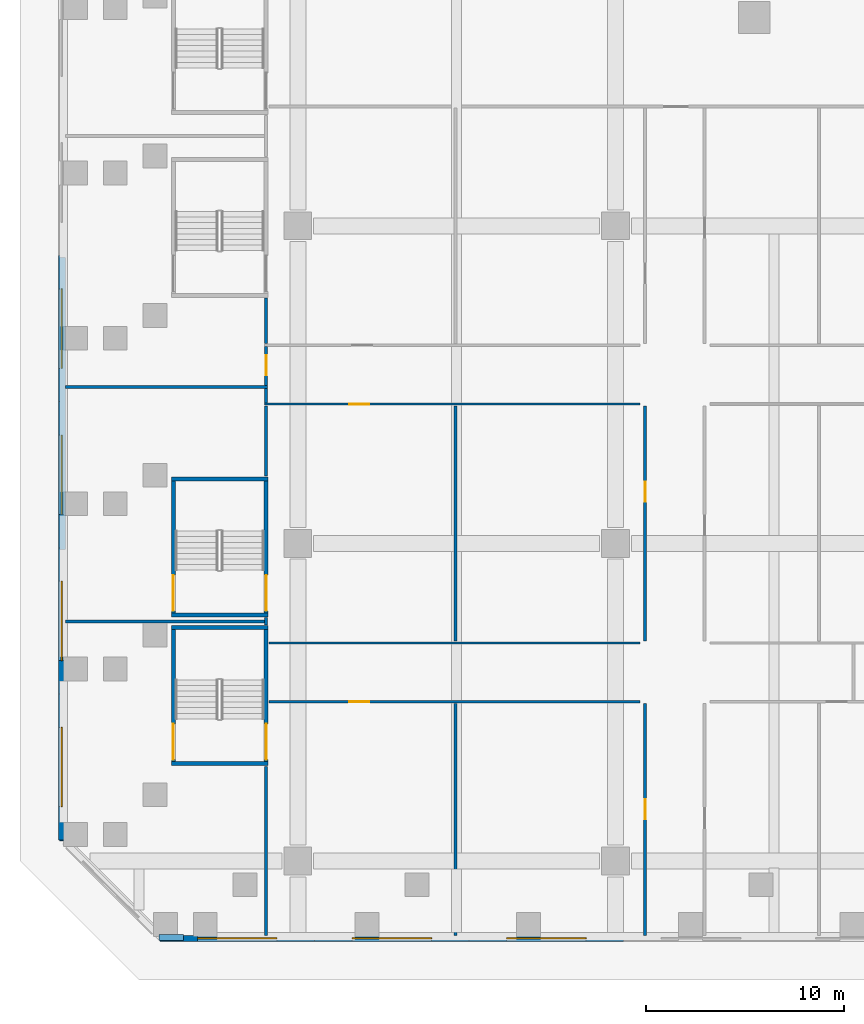
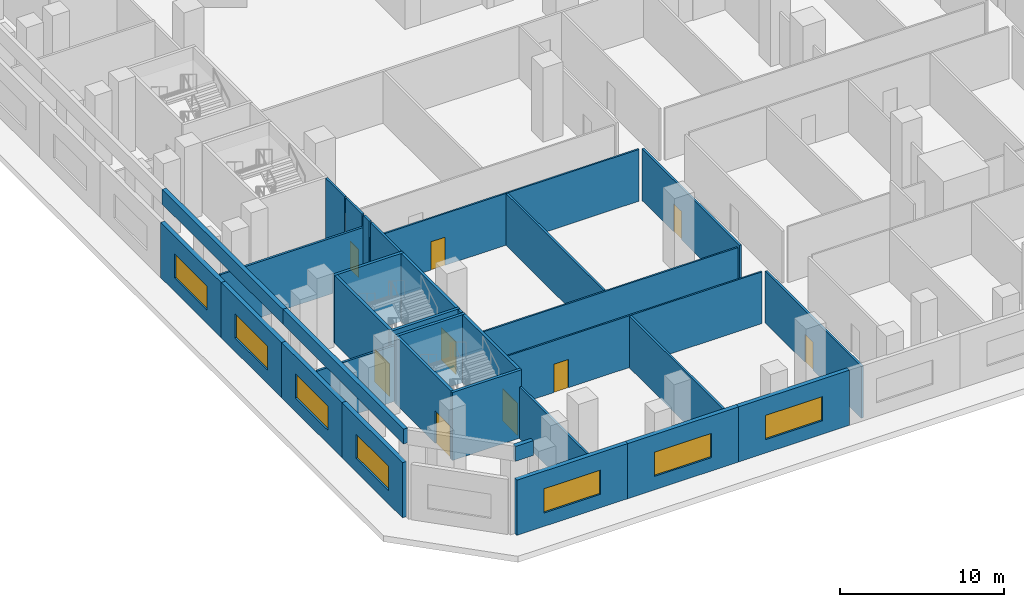
# One storey, part 4 of 22: 33 walls, 9 doors, 7 windows, 16 openings.
"""IFC4 building model written with IfcOpenShell, lengths in metres."""

from ifc_helpers import new_model, si_unit, direction, frame, frame_2d, origin, place, context, subcontext, project, spatial, rectangle, extrude, material, layer, layer_set, type_object, element, fill, save


model = new_model("IFC4")

# Units and contexts
model_context = context("Model", 3, precision=1e-05, world=origin(), true_north=direction((0.0, 1.0)))
body_context = subcontext(model_context, "Body", "Model", "MODEL_VIEW")
ifc_project = project(units=[si_unit("LENGTHUNIT", "METRE"), si_unit("AREAUNIT", "SQUARE_METRE"), si_unit("VOLUMEUNIT", "CUBIC_METRE"), si_unit("PLANEANGLEUNIT", "RADIAN"), si_unit("MASSUNIT", "GRAM", prefix="KILO")], contexts=[model_context])

# Site, building, storey
site_placement = place(None, origin())
site = spatial("IfcSite", under=ifc_project, at=site_placement, CompositionType="ELEMENT")
building_placement = place(site_placement, origin())
building = spatial("IfcBuilding", under=site, at=building_placement, Name="Calabash Gate Tower", CompositionType="ELEMENT")
storey_placement = place(building_placement, frame((0.0, 0.0, 29.0)))
storey = spatial("IfcBuildingStorey", under=building, at=storey_placement, Name="L03", CompositionType="ELEMENT", Elevation=29.0)

# Walls
ifc_material_1 = material(Name="Gypsum board on steel studs, mineral wool", Category="steel")
ifc_layer_1 = layer(ifc_material_1, 0.14990234375)
ifc_layer_set_1 = layer_set([ifc_layer_1], Name="Partition 150 gypsum board")
wall_type_1 = type_object("IfcWallType", Name="Partition 150 gypsum board", PredefinedType="PARTITIONING", material=ifc_layer_set_1)
wall_1_placement = place(storey_placement, frame((-33.60009765625, -43.77001953125, 0.0), z_axis=(0.0, 0.0, 1.0), x_axis=(0.0, 1.0, 0.0)))
element("IfcWall", 1, at=wall_1_placement, inside=storey, type_object=wall_type_1, Name="Partition", PredefinedType="PARTITIONING", context=body_context, shape_type="SweptSolid", body=[
    extrude(rectangle(XDim=8.530029296875, YDim=0.14990234375, at=frame_2d((4.26513671875, 0.0))), origin(), (0.0, 0.0, 1.0), 3.85009765625),
])
wall_2_placement = place(storey_placement, frame((-24.050048828125, -43.77001953125, 0.0), z_axis=(0.0, 0.0, 1.0), x_axis=(0.0, 1.0, 0.0)))
element("IfcWall", 2, at=wall_2_placement, inside=storey, type_object=wall_type_1, Name="Partition", PredefinedType="PARTITIONING", context=body_context, shape_type="SweptSolid", body=[
    extrude(rectangle(XDim=11.695068359375, YDim=0.14990234375, at=frame_2d((5.84765625, 0.0))), origin(), (0.0, 0.0, 1.0), 3.85009765625),
])

# Wall, opening, door
wall_3_placement = place(storey_placement, frame((-14.5, -43.77001953125, 0.0), z_axis=(0.0, 0.0, 1.0), x_axis=(0.0, 1.0, 0.0)))
wall_3 = element("IfcWall", 3, at=wall_3_placement, inside=storey, type_object=wall_type_1, Name="Partition", PredefinedType="PARTITIONING", context=body_context, shape_type="SweptSolid", body=[
    extrude(rectangle(XDim=11.695068359375, YDim=0.14990234375, at=frame_2d((5.84765625, 0.0))), origin(), (0.0, 0.0, 1.0), 3.85009765625),
])
opening_1_placement = place(wall_3_placement, frame((5.8701171875, 0.0, 0.0)))
opening_1 = element("IfcOpeningElement", 4, at=opening_1_placement, cuts=wall_3, Name="Opening L03-063", PredefinedType="OPENING", context=body_context, shape_type="SweptSolid", body=[
    extrude(rectangle(XDim=1.0, YDim=2.10009765625, at=frame_2d((0.5, 1.050048828125))), frame((0.0, 0.0849609375, 0.0), z_axis=(0.0, -1.0, 0.0), x_axis=(1.0, 0.0, 0.0)), (0.0, 0.0, 1.0), 0.169921875),
])
ifc_material_2 = material(Name="Steel fire door set with fire-resisting glazing", Category="steel")
door_type_1 = type_object("IfcDoorType", Name="Fire door D11 1000x2100 FD60", OperationType="NOTDEFINED", PredefinedType="DOOR", material=ifc_material_2)
door_1_placement = place(opening_1_placement, origin())
door_1 = element("IfcDoor", 5, at=door_1_placement, inside=storey, type_object=door_type_1, Name="Meeting Room 318 door", OperationType="SINGLE_SWING_LEFT", OverallHeight=2.10009765625, OverallWidth=1.0, PredefinedType="DOOR", context=body_context, shape_type="SweptSolid", body=[
    extrude(rectangle(XDim=1.0, YDim=2.10009765625, at=frame_2d((0.5, 1.050048828125))), frame((0.0, 0.02490234375, 0.0), z_axis=(0.0, -1.0, 0.0), x_axis=(1.0, 0.0, 0.0)), (0.0, 0.0, 1.0), 0.050048828125),
])
fill(opening_1, door_1)

wall_4_placement = place(storey_placement, frame((-33.4599609375, -31.982421875, 0.0), z_axis=(0.0, 0.0, 1.0), x_axis=(1.0, 0.0, 0.0)))
wall_4 = element("IfcWall", 6, at=wall_4_placement, inside=storey, type_object=wall_type_1, Name="Partition", PredefinedType="PARTITIONING", context=body_context, shape_type="SweptSolid", body=[
    extrude(rectangle(XDim=18.68994140625, YDim=0.114990234375, at=frame_2d((9.344970703125, 0.0))), origin(), (0.0, 0.0, 1.0), 3.85009765625),
])
opening_2_placement = place(wall_4_placement, frame((4.06005859375, 0.0, 0.0)))
opening_2 = element("IfcOpeningElement", 7, at=opening_2_placement, cuts=wall_4, Name="Opening L03-062", PredefinedType="OPENING", context=body_context, shape_type="SweptSolid", body=[
    extrude(rectangle(XDim=1.0, YDim=2.10009765625, at=frame_2d((0.5, 1.050048828125))), frame((0.0, 0.0673828125, 0.0), z_axis=(0.0, -1.0, 0.0), x_axis=(1.0, 0.0, 0.0)), (0.0, 0.0, 1.0), 0.135009765625),
])
door_2_placement = place(opening_2_placement, origin())
door_2 = element("IfcDoor", 8, at=door_2_placement, inside=storey, type_object=door_type_1, Name="Meeting Room 317 door", OperationType="SINGLE_SWING_RIGHT", OverallHeight=2.10009765625, OverallWidth=1.0, PredefinedType="DOOR", context=body_context, shape_type="SweptSolid", body=[
    extrude(rectangle(XDim=1.0, YDim=2.10009765625, at=frame_2d((0.5, 1.050048828125))), frame((0.0, 0.02490234375, 0.0), z_axis=(0.0, -1.0, 0.0), x_axis=(1.0, 0.0, 0.0)), (0.0, 0.0, 1.0), 0.050048828125),
])
fill(opening_2, door_2)

# Walls
wall_5_placement = place(storey_placement, frame((-33.4599609375, -29.017578125, 0.0), z_axis=(0.0, 0.0, 1.0), x_axis=(1.0, 0.0, 0.0)))
element("IfcWall", 9, at=wall_5_placement, inside=storey, type_object=wall_type_1, Name="Partition", PredefinedType="PARTITIONING", context=body_context, shape_type="SweptSolid", body=[
    extrude(rectangle(XDim=18.68994140625, YDim=0.114990234375, at=frame_2d((9.344970703125, 0.0))), origin(), (0.0, 0.0, 1.0), 3.85009765625),
])
wall_6_placement = place(storey_placement, frame((-24.050048828125, -28.925048828125, 0.0), z_axis=(0.0, 0.0, 1.0), x_axis=(0.0, 1.0, 0.0)))
element("IfcWall", 10, at=wall_6_placement, inside=storey, type_object=wall_type_1, Name="Partition", PredefinedType="PARTITIONING", context=body_context, shape_type="SweptSolid", body=[
    extrude(rectangle(XDim=11.85009765625, YDim=0.14990234375, at=frame_2d((5.925048828125, 0.0))), origin(), (0.0, 0.0, 1.0), 3.85009765625),
])

# Wall, opening, door
wall_7_placement = place(storey_placement, frame((-14.5, -28.925048828125, 0.0), z_axis=(0.0, 0.0, 1.0), x_axis=(0.0, 1.0, 0.0)))
wall_7 = element("IfcWall", 11, at=wall_7_placement, inside=storey, type_object=wall_type_1, Name="Partition", PredefinedType="PARTITIONING", context=body_context, shape_type="SweptSolid", body=[
    extrude(rectangle(XDim=11.85009765625, YDim=0.14990234375, at=frame_2d((5.925048828125, 0.0))), origin(), (0.0, 0.0, 1.0), 3.85009765625),
])
opening_3_placement = place(wall_7_placement, frame((7.02490234375, 0.0, 0.0)))
opening_3 = element("IfcOpeningElement", 12, at=opening_3_placement, cuts=wall_7, Name="Opening L03-055", PredefinedType="OPENING", context=body_context, shape_type="SweptSolid", body=[
    extrude(rectangle(XDim=1.0, YDim=2.10009765625, at=frame_2d((0.5, 1.050048828125))), frame((0.0, 0.0849609375, 0.0), z_axis=(0.0, -1.0, 0.0), x_axis=(1.0, 0.0, 0.0)), (0.0, 0.0, 1.0), 0.169921875),
])
door_3_placement = place(opening_3_placement, origin())
door_3 = element("IfcDoor", 13, at=door_3_placement, inside=storey, type_object=door_type_1, Name="Meeting Room 310 door", OperationType="SINGLE_SWING_RIGHT", OverallHeight=2.10009765625, OverallWidth=1.0, PredefinedType="DOOR", context=body_context, shape_type="SweptSolid", body=[
    extrude(rectangle(XDim=1.0, YDim=2.10009765625, at=frame_2d((0.5, 1.050048828125))), frame((0.0, 0.02490234375, 0.0), z_axis=(0.0, -1.0, 0.0), x_axis=(1.0, 0.0, 0.0)), (0.0, 0.0, 1.0), 0.050048828125),
])
fill(opening_3, door_3)

# Walls
wall_8_placement = place(storey_placement, frame((-33.60009765625, -28.110107421875, 0.0), z_axis=(0.0, 0.0, 1.0), x_axis=(0.0, 1.0, 0.0)))
element("IfcWall", 14, at=wall_8_placement, inside=storey, type_object=wall_type_1, Name="Partition", PredefinedType="PARTITIONING", context=body_context, shape_type="SweptSolid", body=[
    extrude(rectangle(XDim=0.3701171875, YDim=0.14990234375, at=frame_2d((0.18505859375, 0.0))), origin(), (0.0, 0.0, 1.0), 5.050048828125),
])
wall_9_placement = place(storey_placement, frame((-43.719970703125, -27.925048828125, 0.0), z_axis=(0.0, 0.0, 1.0), x_axis=(1.0, 0.0, 0.0)))
element("IfcWall", 15, at=wall_9_placement, inside=storey, type_object=wall_type_1, Name="Partition", PredefinedType="PARTITIONING", context=body_context, shape_type="SweptSolid", body=[
    extrude(rectangle(XDim=10.044921875, YDim=0.14990234375, at=frame_2d((5.0224609375, 0.0))), origin(), (0.0, 0.0, 1.0), 4.14990234375),
])
wall_10_placement = place(storey_placement, frame((-33.60009765625, -20.610107421875, 0.0), z_axis=(0.0, 0.0, 1.0), x_axis=(0.0, 1.0, 0.0)))
element("IfcWall", 16, at=wall_10_placement, inside=storey, type_object=wall_type_1, Name="Partition", PredefinedType="PARTITIONING", context=body_context, shape_type="SweptSolid", body=[
    extrude(rectangle(XDim=3.53515625, YDim=0.14990234375, at=frame_2d((1.767578125, 0.0))), origin(), (0.0, 0.0, 1.0), 5.050048828125),
])

# Wall, opening, door
wall_11_placement = place(storey_placement, frame((-33.675048828125, -16.982421875, 0.0), z_axis=(0.0, 0.0, 1.0), x_axis=(1.0, 0.0, 0.0)))
wall_11 = element("IfcWall", 17, at=wall_11_placement, inside=storey, type_object=wall_type_1, Name="Partition", PredefinedType="PARTITIONING", context=body_context, shape_type="SweptSolid", body=[
    extrude(rectangle(XDim=18.905029296875, YDim=0.114990234375, at=frame_2d((9.45263671875, 0.0))), origin(), (0.0, 0.0, 1.0), 3.85009765625),
])
opening_4_placement = place(wall_11_placement, frame((4.27490234375, 0.0, 0.0)))
opening_4 = element("IfcOpeningElement", 18, at=opening_4_placement, cuts=wall_11, Name="Opening L03-054", PredefinedType="OPENING", context=body_context, shape_type="SweptSolid", body=[
    extrude(rectangle(XDim=1.0, YDim=2.10009765625, at=frame_2d((0.5, 1.050048828125))), frame((0.0, 0.0673828125, 0.0), z_axis=(0.0, -1.0, 0.0), x_axis=(1.0, 0.0, 0.0)), (0.0, 0.0, 1.0), 0.135009765625),
])
door_4_placement = place(opening_4_placement, origin())
door_4 = element("IfcDoor", 19, at=door_4_placement, inside=storey, type_object=door_type_1, Name="Meeting Room 309 door", OperationType="SINGLE_SWING_LEFT", OverallHeight=2.10009765625, OverallWidth=1.0, PredefinedType="DOOR", context=body_context, shape_type="SweptSolid", body=[
    extrude(rectangle(XDim=1.0, YDim=2.10009765625, at=frame_2d((0.5, 1.050048828125))), frame((0.0, 0.02490234375, 0.0), z_axis=(0.0, -1.0, 0.0), x_axis=(1.0, 0.0, 0.0)), (0.0, 0.0, 1.0), 0.050048828125),
])
fill(opening_4, door_4)

# Walls
wall_12_placement = place(storey_placement, frame((-33.60009765625, -16.925048828125, 0.0), z_axis=(0.0, 0.0, 1.0), x_axis=(0.0, 1.0, 0.0)))
element("IfcWall", 20, at=wall_12_placement, inside=storey, type_object=wall_type_1, Name="Partition", PredefinedType="PARTITIONING", context=body_context, shape_type="SweptSolid", body=[
    extrude(rectangle(XDim=0.72509765625, YDim=0.14990234375, at=frame_2d((0.362548828125, 0.0))), origin(), (0.0, 0.0, 1.0), 5.050048828125),
])
wall_13_placement = place(storey_placement, frame((-43.719970703125, -16.125, 0.0), z_axis=(0.0, 0.0, 1.0), x_axis=(1.0, 0.0, 0.0)))
element("IfcWall", 21, at=wall_13_placement, inside=storey, type_object=wall_type_1, Name="Partition", PredefinedType="PARTITIONING", context=body_context, shape_type="SweptSolid", body=[
    extrude(rectangle(XDim=10.195068359375, YDim=0.14990234375, at=frame_2d((5.09765625, 0.0))), origin(), (0.0, 0.0, 1.0), 4.14990234375),
])

# Wall, opening, door
wall_14_placement = place(storey_placement, frame((-33.60009765625, -16.050048828125, 0.0), z_axis=(0.0, 0.0, 1.0), x_axis=(0.0, 1.0, 0.0)))
wall_14 = element("IfcWall", 22, at=wall_14_placement, inside=storey, type_object=wall_type_1, Name="Partition", PredefinedType="PARTITIONING", context=body_context, shape_type="SweptSolid", body=[
    extrude(rectangle(XDim=1.97509765625, YDim=0.14990234375, at=frame_2d((0.987548828125, 0.0))), origin(), (0.0, 0.0, 1.0), 5.050048828125),
])
opening_5_placement = place(wall_14_placement, frame((0.52490234375, 0.0, 0.0)))
opening_5 = element("IfcOpeningElement", 23, at=opening_5_placement, cuts=wall_14, Name="Opening L03-070", PredefinedType="OPENING", context=body_context, shape_type="SweptSolid", body=[
    extrude(rectangle(XDim=1.0, YDim=2.10009765625, at=frame_2d((0.5, 1.050048828125))), frame((0.0, 0.0849609375, 0.0), z_axis=(0.0, -1.0, 0.0), x_axis=(1.0, 0.0, 0.0)), (0.0, 0.0, 1.0), 0.169921875),
])
door_5_placement = place(opening_5_placement, origin())
door_5 = element("IfcDoor", 24, at=door_5_placement, inside=storey, type_object=door_type_1, Name="Meeting Room 322 door", OperationType="SINGLE_SWING_RIGHT", OverallHeight=2.10009765625, OverallWidth=1.0, PredefinedType="DOOR", context=body_context, shape_type="SweptSolid", body=[
    extrude(rectangle(XDim=1.0, YDim=2.10009765625, at=frame_2d((0.5, 1.050048828125))), frame((0.0, 0.02490234375, 0.0), z_axis=(0.0, -1.0, 0.0), x_axis=(1.0, 0.0, 0.0)), (0.0, 0.0, 1.0), 0.050048828125),
])
fill(opening_5, door_5)

# Wall
wall_15_placement = place(storey_placement, frame((-33.60009765625, -13.925048828125, 0.0), z_axis=(0.0, 0.0, 1.0), x_axis=(0.0, 1.0, 0.0)))
element("IfcWall", 25, at=wall_15_placement, inside=storey, type_object=wall_type_1, Name="Partition", PredefinedType="PARTITIONING", context=body_context, shape_type="SweptSolid", body=[
    extrude(rectangle(XDim=2.28515625, YDim=0.14990234375, at=frame_2d((1.142578125, 0.0))), origin(), (0.0, 0.0, 1.0), 5.050048828125),
])

# Wall, opening, window
ifc_material_3 = material(Name="Terracotta brick masonry, exposed face", Category="masonry")
ifc_layer_2 = layer(ifc_material_3, 0.300048828125)
ifc_layer_set_2 = layer_set([ifc_layer_2], Name="Podium brick wall 300")
wall_type_2 = type_object("IfcWallType", Name="Podium brick wall 300", PredefinedType="SOLIDWALL", material=ifc_layer_set_2)
wall_16_placement = place(storey_placement, frame((-38.949951171875, -43.89990234375, 0.0), z_axis=(0.0, 0.0, 1.0), x_axis=(1.0, 0.0, 0.0)))
wall_16 = element("IfcWall", 26, at=wall_16_placement, inside=storey, type_object=wall_type_2, Name="Podium brick wall L03 0.0.0", PredefinedType="SOLIDWALL", context=body_context, shape_type="SweptSolid", body=[
    extrude(rectangle(XDim=7.7900390625, YDim=0.300048828125, at=frame_2d((3.89501953125, 0.0))), origin(), (0.0, 0.0, 1.0), 4.10009765625),
])
opening_6_placement = place(wall_16_placement, frame((1.89501953125, 0.0, 1.0)))
opening_6 = element("IfcOpeningElement", 27, at=opening_6_placement, cuts=wall_16, Name="Opening WM1", PredefinedType="OPENING", context=body_context, shape_type="SweptSolid", body=[
    extrude(rectangle(XDim=4.0, YDim=1.800048828125, at=frame_2d((2.0, 0.89990234375))), frame((0.0, 0.159912109375, 0.0), z_axis=(0.0, -1.0, 0.0), x_axis=(1.0, 0.0, 0.0)), (0.0, 0.0, 1.0), 0.320068359375),
])
ifc_material_4 = material(Name="Anodised aluminium frame, bronze finish, impact-rated laminated clear glazing", Category="aluminium")
window_type = type_object("IfcWindowType", Name="Window WM1 4000x1800", PartitioningType="TRIPLE_PANEL_VERTICAL", PredefinedType="WINDOW", material=ifc_material_4)
window_1_placement = place(opening_6_placement, origin())
window_1 = element("IfcWindow", 28, at=window_1_placement, inside=storey, type_object=window_type, Name="Meeting room window L03 0.0.0", OverallHeight=1.800048828125, OverallWidth=4.0, PartitioningType="SINGLE_PANEL", PredefinedType="WINDOW", context=body_context, shape_type="SweptSolid", body=[
    extrude(rectangle(XDim=4.0, YDim=1.800048828125, at=frame_2d((2.0, 0.89990234375))), frame((0.0, 0.030029296875, 0.0), z_axis=(0.0, -1.0, 0.0), x_axis=(1.0, 0.0, 0.0)), (0.0, 0.0, 1.0), 0.06005859375),
])
fill(opening_6, window_1)

wall_17_placement = place(storey_placement, frame((-31.159912109375, -43.89990234375, 0.0), z_axis=(0.0, 0.0, 1.0), x_axis=(1.0, 0.0, 0.0)))
wall_17 = element("IfcWall", 29, at=wall_17_placement, inside=storey, type_object=wall_type_2, Name="Podium brick wall L03 0.0.1", PredefinedType="SOLIDWALL", context=body_context, shape_type="SweptSolid", body=[
    extrude(rectangle(XDim=7.789794921875, YDim=0.300048828125, at=frame_2d((3.89501953125, 0.0))), origin(), (0.0, 0.0, 1.0), 4.10009765625),
])
opening_7_placement = place(wall_17_placement, frame((1.89501953125, 0.0, 1.0)))
opening_7 = element("IfcOpeningElement", 30, at=opening_7_placement, cuts=wall_17, Name="Opening WM1", PredefinedType="OPENING", context=body_context, shape_type="SweptSolid", body=[
    extrude(rectangle(XDim=4.0, YDim=1.800048828125, at=frame_2d((2.0, 0.89990234375))), frame((0.0, 0.159912109375, 0.0), z_axis=(0.0, -1.0, 0.0), x_axis=(1.0, 0.0, 0.0)), (0.0, 0.0, 1.0), 0.320068359375),
])
window_2_placement = place(opening_7_placement, origin())
window_2 = element("IfcWindow", 31, at=window_2_placement, inside=storey, type_object=window_type, Name="Meeting room window L03 0.0.1", OverallHeight=1.800048828125, OverallWidth=4.0, PartitioningType="SINGLE_PANEL", PredefinedType="WINDOW", context=body_context, shape_type="SweptSolid", body=[
    extrude(rectangle(XDim=4.0, YDim=1.800048828125, at=frame_2d((2.0, 0.89990234375))), frame((0.0, 0.030029296875, 0.0), z_axis=(0.0, -1.0, 0.0), x_axis=(1.0, 0.0, 0.0)), (0.0, 0.0, 1.0), 0.06005859375),
])
fill(opening_7, window_2)

wall_18_placement = place(storey_placement, frame((-23.3701171875, -43.89990234375, 0.0), z_axis=(0.0, 0.0, 1.0), x_axis=(1.0, 0.0, 0.0)))
wall_18 = element("IfcWall", 32, at=wall_18_placement, inside=storey, type_object=wall_type_2, Name="Podium brick wall L03 0.0.2", PredefinedType="SOLIDWALL", context=body_context, shape_type="SweptSolid", body=[
    extrude(rectangle(XDim=7.7900390625, YDim=0.300048828125, at=frame_2d((3.89501953125, 0.0))), origin(), (0.0, 0.0, 1.0), 4.10009765625),
])
opening_8_placement = place(wall_18_placement, frame((1.89501953125, 0.0, 1.0)))
opening_8 = element("IfcOpeningElement", 33, at=opening_8_placement, cuts=wall_18, Name="Opening WM1", PredefinedType="OPENING", context=body_context, shape_type="SweptSolid", body=[
    extrude(rectangle(XDim=4.0, YDim=1.800048828125, at=frame_2d((2.0, 0.89990234375))), frame((0.0, 0.159912109375, 0.0), z_axis=(0.0, -1.0, 0.0), x_axis=(1.0, 0.0, 0.0)), (0.0, 0.0, 1.0), 0.320068359375),
])
window_3_placement = place(opening_8_placement, origin())
window_3 = element("IfcWindow", 34, at=window_3_placement, inside=storey, type_object=window_type, Name="Meeting room window L03 0.0.2", OverallHeight=1.800048828125, OverallWidth=4.0, PartitioningType="SINGLE_PANEL", PredefinedType="WINDOW", context=body_context, shape_type="SweptSolid", body=[
    extrude(rectangle(XDim=4.0, YDim=1.800048828125, at=frame_2d((2.0, 0.89990234375))), frame((0.0, 0.030029296875, 0.0), z_axis=(0.0, -1.0, 0.0), x_axis=(1.0, 0.0, 0.0)), (0.0, 0.0, 1.0), 0.06005859375),
])
fill(opening_8, window_3)

wall_19_placement = place(storey_placement, frame((-43.89990234375, -9.5, 0.0), z_axis=(0.0, 0.0, 1.0), x_axis=(0.0, -1.0, 0.0)))
wall_19 = element("IfcWall", 35, at=wall_19_placement, inside=storey, type_object=wall_type_2, Name="Podium brick wall L03 6.0.4", PredefinedType="SOLIDWALL", context=body_context, shape_type="SweptSolid", body=[
    extrude(rectangle(XDim=7.362548828125, YDim=0.300048828125, at=frame_2d((3.68115234375, 0.0))), origin(), (0.0, 0.0, 1.0), 4.10009765625),
])
opening_9_placement = place(wall_19_placement, frame((1.68115234375, 0.0, 1.0)))
opening_9 = element("IfcOpeningElement", 36, at=opening_9_placement, cuts=wall_19, Name="Opening WM1", PredefinedType="OPENING", context=body_context, shape_type="SweptSolid", body=[
    extrude(rectangle(XDim=4.0, YDim=1.800048828125, at=frame_2d((2.0, 0.89990234375))), frame((0.0, 0.159912109375, 0.0), z_axis=(0.0, -1.0, 0.0), x_axis=(1.0, 0.0, 0.0)), (0.0, 0.0, 1.0), 0.320068359375),
])
window_4_placement = place(opening_9_placement, origin())
window_4 = element("IfcWindow", 37, at=window_4_placement, inside=storey, type_object=window_type, Name="Meeting room window L03 6.0.4", OverallHeight=1.800048828125, OverallWidth=4.0, PartitioningType="SINGLE_PANEL", PredefinedType="WINDOW", context=body_context, shape_type="SweptSolid", body=[
    extrude(rectangle(XDim=4.0, YDim=1.800048828125, at=frame_2d((2.0, 0.89990234375))), frame((0.0, 0.030029296875, 0.0), z_axis=(0.0, -1.0, 0.0), x_axis=(1.0, 0.0, 0.0)), (0.0, 0.0, 1.0), 0.06005859375),
])
fill(opening_9, window_4)

wall_20_placement = place(storey_placement, frame((-43.89990234375, -16.862548828125, 0.0), z_axis=(0.0, 0.0, 1.0), x_axis=(0.0, -1.0, 0.0)))
wall_20 = element("IfcWall", 38, at=wall_20_placement, inside=storey, type_object=wall_type_2, Name="Podium brick wall L03 6.0.5", PredefinedType="SOLIDWALL", context=body_context, shape_type="SweptSolid", body=[
    extrude(rectangle(XDim=7.362548828125, YDim=0.300048828125, at=frame_2d((3.68115234375, 0.0))), origin(), (0.0, 0.0, 1.0), 4.10009765625),
])
opening_10_placement = place(wall_20_placement, frame((1.68115234375, 0.0, 1.0)))
opening_10 = element("IfcOpeningElement", 39, at=opening_10_placement, cuts=wall_20, Name="Opening WM1", PredefinedType="OPENING", context=body_context, shape_type="SweptSolid", body=[
    extrude(rectangle(XDim=4.0, YDim=1.800048828125, at=frame_2d((2.0, 0.89990234375))), frame((0.0, 0.159912109375, 0.0), z_axis=(0.0, -1.0, 0.0), x_axis=(1.0, 0.0, 0.0)), (0.0, 0.0, 1.0), 0.320068359375),
])
window_5_placement = place(opening_10_placement, origin())
window_5 = element("IfcWindow", 40, at=window_5_placement, inside=storey, type_object=window_type, Name="Meeting room window L03 6.0.5", OverallHeight=1.800048828125, OverallWidth=4.0, PartitioningType="SINGLE_PANEL", PredefinedType="WINDOW", context=body_context, shape_type="SweptSolid", body=[
    extrude(rectangle(XDim=4.0, YDim=1.800048828125, at=frame_2d((2.0, 0.89990234375))), frame((0.0, 0.030029296875, 0.0), z_axis=(0.0, -1.0, 0.0), x_axis=(1.0, 0.0, 0.0)), (0.0, 0.0, 1.0), 0.06005859375),
])
fill(opening_10, window_5)

wall_21_placement = place(storey_placement, frame((-43.89990234375, -24.22509765625, 0.0), z_axis=(0.0, 0.0, 1.0), x_axis=(0.0, -1.0, 0.0)))
wall_21 = element("IfcWall", 41, at=wall_21_placement, inside=storey, type_object=wall_type_2, Name="Podium brick wall L03 6.0.6", PredefinedType="SOLIDWALL", context=body_context, shape_type="SweptSolid", body=[
    extrude(rectangle(XDim=7.3623046875, YDim=0.300048828125, at=frame_2d((3.68115234375, 0.0))), origin(), (0.0, 0.0, 1.0), 4.10009765625),
])
opening_11_placement = place(wall_21_placement, frame((1.68115234375, 0.0, 1.0)))
opening_11 = element("IfcOpeningElement", 42, at=opening_11_placement, cuts=wall_21, Name="Opening WM1", PredefinedType="OPENING", context=body_context, shape_type="SweptSolid", body=[
    extrude(rectangle(XDim=4.0, YDim=1.800048828125, at=frame_2d((2.0, 0.89990234375))), frame((0.0, 0.159912109375, 0.0), z_axis=(0.0, -1.0, 0.0), x_axis=(1.0, 0.0, 0.0)), (0.0, 0.0, 1.0), 0.320068359375),
])
window_6_placement = place(opening_11_placement, origin())
window_6 = element("IfcWindow", 43, at=window_6_placement, inside=storey, type_object=window_type, Name="Meeting room window L03 6.0.6", OverallHeight=1.800048828125, OverallWidth=4.0, PartitioningType="SINGLE_PANEL", PredefinedType="WINDOW", context=body_context, shape_type="SweptSolid", body=[
    extrude(rectangle(XDim=4.0, YDim=1.800048828125, at=frame_2d((2.0, 0.89990234375))), frame((0.0, 0.030029296875, 0.0), z_axis=(0.0, -1.0, 0.0), x_axis=(1.0, 0.0, 0.0)), (0.0, 0.0, 1.0), 0.06005859375),
])
fill(opening_11, window_6)

wall_22_placement = place(storey_placement, frame((-43.89990234375, -31.58740234375, 0.0), z_axis=(0.0, 0.0, 1.0), x_axis=(0.0, -1.0, 0.0)))
wall_22 = element("IfcWall", 44, at=wall_22_placement, inside=storey, type_object=wall_type_2, Name="Podium brick wall L03 6.0.7", PredefinedType="SOLIDWALL", context=body_context, shape_type="SweptSolid", body=[
    extrude(rectangle(XDim=7.362548828125, YDim=0.300048828125, at=frame_2d((3.68115234375, 0.0))), origin(), (0.0, 0.0, 1.0), 4.10009765625),
])
opening_12_placement = place(wall_22_placement, frame((1.68115234375, 0.0, 1.0)))
opening_12 = element("IfcOpeningElement", 45, at=opening_12_placement, cuts=wall_22, Name="Opening WM1", PredefinedType="OPENING", context=body_context, shape_type="SweptSolid", body=[
    extrude(rectangle(XDim=4.0, YDim=1.800048828125, at=frame_2d((2.0, 0.89990234375))), frame((0.0, 0.159912109375, 0.0), z_axis=(0.0, -1.0, 0.0), x_axis=(1.0, 0.0, 0.0)), (0.0, 0.0, 1.0), 0.320068359375),
])
window_7_placement = place(opening_12_placement, origin())
window_7 = element("IfcWindow", 46, at=window_7_placement, inside=storey, type_object=window_type, Name="Meeting room window L03 6.0.7", OverallHeight=1.800048828125, OverallWidth=4.0, PartitioningType="SINGLE_PANEL", PredefinedType="WINDOW", context=body_context, shape_type="SweptSolid", body=[
    extrude(rectangle(XDim=4.0, YDim=1.800048828125, at=frame_2d((2.0, 0.89990234375))), frame((0.0, 0.030029296875, 0.0), z_axis=(0.0, -1.0, 0.0), x_axis=(1.0, 0.0, 0.0)), (0.0, 0.0, 1.0), 0.06005859375),
])
fill(opening_12, window_7)

# Walls
ifc_material_5 = material(Name="Terracotta brick masonry, exposed face", Category="masonry")
ifc_layer_3 = layer(ifc_material_5, 0.300048828125)
ifc_layer_set_3 = layer_set([ifc_layer_3], Name="Podium parapet wall 300")
wall_type_3 = type_object("IfcWallType", Name="Podium parapet wall 300", PredefinedType="PARAPET", material=ifc_layer_set_3)
wall_23_placement = place(storey_placement, frame((-39.0, -43.85009765625, 5.5), z_axis=(0.0, 0.0, 1.0), x_axis=(1.0, 0.0, 0.0)))
element("IfcWall", 47, at=wall_23_placement, inside=storey, type_object=wall_type_3, Name="Podium parapet L03 0.0.0", PredefinedType="PARAPET", context=body_context, shape_type="SweptSolid", body=[
    extrude(rectangle(XDim=1.25, YDim=0.300048828125, at=frame_2d((0.625, 0.0))), origin(), (0.0, 0.0, 1.0), 1.10009765625),
])
for number, where, z_axis, x_axis, name in (
    (48, (-43.85009765625, -9.60498046875, 5.5), (0.0, 0.0, 1.0), (0.0, -1.0, 0.0), "Podium parapet L03 6.0.2"),
    (49, (-43.85009765625, -24.302490234375, 5.5), (0.0, 0.0, 1.0), (0.0, -1.0, 0.0), "Podium parapet L03 6.0.3"),
):
    element("IfcWall", number, at=place(storey_placement, frame(where, z_axis=z_axis, x_axis=x_axis)), inside=storey, type_object=wall_type_3, Name=name, PredefinedType="PARAPET", context=body_context, shape_type="SweptSolid", body=[
        extrude(rectangle(XDim=14.697509765625, YDim=0.300048828125, at=frame_2d((7.3486328125, 0.0))), origin(), (0.0, 0.0, 1.0), 1.10009765625),
    ])
ifc_material_6 = material(Name="Concrete C40/50", Category="concrete")
ifc_layer_4 = layer(ifc_material_6, 0.199951171875)
ifc_layer_set_4 = layer_set([ifc_layer_4], Name="Stair wall 200 Concrete C40/50")
wall_type_4 = type_object("IfcWallType", Name="Stair wall 200 Concrete C40/50", PredefinedType="SOLIDWALL", material=ifc_layer_set_4)
for number, where, z_axis, x_axis, name in (
    (50, (-38.3701171875, -35.10009765625, 0.0), (0.0, 0.0, 1.0), (1.0, 0.0, 0.0), "Stair wall"),
    (51, (-38.3701171875, -28.25, 0.0), (0.0, 0.0, 1.0), (1.0, 0.0, 0.0), "Stair wall"),
):
    element("IfcWall", number, at=place(storey_placement, frame(where, z_axis=z_axis, x_axis=x_axis)), inside=storey, type_object=wall_type_4, Name=name, PredefinedType="SOLIDWALL", context=body_context, shape_type="SweptSolid", body=[
        extrude(rectangle(XDim=4.8701171875, YDim=0.199951171875, at=frame_2d((2.43505859375, 0.0))), origin(), (0.0, 0.0, 1.0), 5.050048828125),
    ])

# Wall, opening, door
wall_24_placement = place(storey_placement, frame((-38.27001953125, -35.0, 0.0), z_axis=(0.0, 0.0, 1.0), x_axis=(0.0, 1.0, 0.0)))
wall_24 = element("IfcWall", 52, at=wall_24_placement, inside=storey, type_object=wall_type_4, Name="Stair wall", PredefinedType="SOLIDWALL", context=body_context, shape_type="SweptSolid", body=[
    extrude(rectangle(XDim=6.64990234375, YDim=0.199951171875, at=frame_2d((3.324951171875, 0.0))), origin(), (0.0, 0.0, 1.0), 5.050048828125),
])
opening_13_placement = place(wall_24_placement, frame((0.10009765625, 0.0, 0.0)))
opening_13 = element("IfcOpeningElement", 53, at=opening_13_placement, cuts=wall_24, Name="Opening L03-019", PredefinedType="OPENING", context=body_context, shape_type="SweptSolid", body=[
    extrude(rectangle(XDim=1.800048828125, YDim=2.39990234375, at=frame_2d((0.89990234375, 1.199951171875))), frame((0.0, 0.10986328125, 0.0), z_axis=(0.0, -1.0, 0.0), x_axis=(1.0, 0.0, 0.0)), (0.0, 0.0, 1.0), 0.219970703125),
])
ifc_material_7 = material(Name="Steel fire door set with fire-resisting glazing", Category="steel")
door_type_2 = type_object("IfcDoorType", Name="Double fire door D16 1800x2400 FD90", OperationType="DOUBLE_DOOR_SINGLE_SWING", PredefinedType="DOOR", material=ifc_material_7)
door_6_placement = place(opening_13_placement, origin())
door_6 = element("IfcDoor", 54, at=door_6_placement, inside=storey, type_object=door_type_2, Name="Exit stair door PS1", OperationType="DOUBLE_DOOR_SINGLE_SWING", OverallHeight=2.39990234375, OverallWidth=1.800048828125, PredefinedType="DOOR", context=body_context, shape_type="SweptSolid", body=[
    extrude(rectangle(XDim=1.800048828125, YDim=2.39990234375, at=frame_2d((0.89990234375, 1.199951171875))), frame((0.0, 0.02490234375, 0.0), z_axis=(0.0, -1.0, 0.0), x_axis=(1.0, 0.0, 0.0)), (0.0, 0.0, 1.0), 0.050048828125),
])
fill(opening_13, door_6)

wall_25_placement = place(storey_placement, frame((-33.60009765625, -35.0, 0.0), z_axis=(0.0, 0.0, 1.0), x_axis=(0.0, 1.0, 0.0)))
wall_25 = element("IfcWall", 55, at=wall_25_placement, inside=storey, type_object=wall_type_4, Name="Stair wall", PredefinedType="SOLIDWALL", context=body_context, shape_type="SweptSolid", body=[
    extrude(rectangle(XDim=6.64990234375, YDim=0.199951171875, at=frame_2d((3.324951171875, 0.0))), origin(), (0.0, 0.0, 1.0), 5.050048828125),
])
opening_14_placement = place(wall_25_placement, frame((0.10009765625, 0.0, 0.0)))
opening_14 = element("IfcOpeningElement", 56, at=opening_14_placement, cuts=wall_25, Name="Opening L03-018", PredefinedType="OPENING", context=body_context, shape_type="SweptSolid", body=[
    extrude(rectangle(XDim=1.800048828125, YDim=2.39990234375, at=frame_2d((0.89990234375, 1.199951171875))), frame((0.0, 0.10986328125, 0.0), z_axis=(0.0, -1.0, 0.0), x_axis=(1.0, 0.0, 0.0)), (0.0, 0.0, 1.0), 0.219970703125),
])
door_7_placement = place(opening_14_placement, origin())
door_7 = element("IfcDoor", 57, at=door_7_placement, inside=storey, type_object=door_type_2, Name="Exit stair door PS1", OperationType="DOUBLE_DOOR_SINGLE_SWING", OverallHeight=2.39990234375, OverallWidth=1.800048828125, PredefinedType="DOOR", context=body_context, shape_type="SweptSolid", body=[
    extrude(rectangle(XDim=1.800048828125, YDim=2.39990234375, at=frame_2d((0.89990234375, 1.199951171875))), frame((0.0, 0.02490234375, 0.0), z_axis=(0.0, -1.0, 0.0), x_axis=(1.0, 0.0, 0.0)), (0.0, 0.0, 1.0), 0.050048828125),
])
fill(opening_14, door_7)

# Walls
for number, where, z_axis, x_axis, name in (
    (58, (-38.3701171875, -27.60009765625, 0.0), (0.0, 0.0, 1.0), (1.0, 0.0, 0.0), "Stair wall"),
    (59, (-38.3701171875, -20.75, 0.0), (0.0, 0.0, 1.0), (1.0, 0.0, 0.0), "Stair wall"),
):
    element("IfcWall", number, at=place(storey_placement, frame(where, z_axis=z_axis, x_axis=x_axis)), inside=storey, type_object=wall_type_4, Name=name, PredefinedType="SOLIDWALL", context=body_context, shape_type="SweptSolid", body=[
        extrude(rectangle(XDim=4.8701171875, YDim=0.199951171875, at=frame_2d((2.43505859375, 0.0))), origin(), (0.0, 0.0, 1.0), 5.050048828125),
    ])

# Wall, opening, door
wall_26_placement = place(storey_placement, frame((-38.27001953125, -27.5, 0.0), z_axis=(0.0, 0.0, 1.0), x_axis=(0.0, 1.0, 0.0)))
wall_26 = element("IfcWall", 60, at=wall_26_placement, inside=storey, type_object=wall_type_4, Name="Stair wall", PredefinedType="SOLIDWALL", context=body_context, shape_type="SweptSolid", body=[
    extrude(rectangle(XDim=6.64990234375, YDim=0.199951171875, at=frame_2d((3.324951171875, 0.0))), origin(), (0.0, 0.0, 1.0), 5.050048828125),
])
opening_15_placement = place(wall_26_placement, frame((0.10009765625, 0.0, 0.0)))
opening_15 = element("IfcOpeningElement", 61, at=opening_15_placement, cuts=wall_26, Name="Opening L03-021", PredefinedType="OPENING", context=body_context, shape_type="SweptSolid", body=[
    extrude(rectangle(XDim=1.800048828125, YDim=2.39990234375, at=frame_2d((0.89990234375, 1.199951171875))), frame((0.0, 0.10986328125, 0.0), z_axis=(0.0, -1.0, 0.0), x_axis=(1.0, 0.0, 0.0)), (0.0, 0.0, 1.0), 0.219970703125),
])
door_8_placement = place(opening_15_placement, origin())
door_8 = element("IfcDoor", 62, at=door_8_placement, inside=storey, type_object=door_type_2, Name="Exit stair door PS2", OperationType="DOUBLE_DOOR_SINGLE_SWING", OverallHeight=2.39990234375, OverallWidth=1.800048828125, PredefinedType="DOOR", context=body_context, shape_type="SweptSolid", body=[
    extrude(rectangle(XDim=1.800048828125, YDim=2.39990234375, at=frame_2d((0.89990234375, 1.199951171875))), frame((0.0, 0.02490234375, 0.0), z_axis=(0.0, -1.0, 0.0), x_axis=(1.0, 0.0, 0.0)), (0.0, 0.0, 1.0), 0.050048828125),
])
fill(opening_15, door_8)

wall_27_placement = place(storey_placement, frame((-33.60009765625, -27.5, 0.0), z_axis=(0.0, 0.0, 1.0), x_axis=(0.0, 1.0, 0.0)))
wall_27 = element("IfcWall", 63, at=wall_27_placement, inside=storey, type_object=wall_type_4, Name="Stair wall", PredefinedType="SOLIDWALL", context=body_context, shape_type="SweptSolid", body=[
    extrude(rectangle(XDim=6.64990234375, YDim=0.199951171875, at=frame_2d((3.324951171875, 0.0))), origin(), (0.0, 0.0, 1.0), 5.050048828125),
])
opening_16_placement = place(wall_27_placement, frame((0.10009765625, 0.0, 0.0)))
opening_16 = element("IfcOpeningElement", 64, at=opening_16_placement, cuts=wall_27, Name="Opening L03-020", PredefinedType="OPENING", context=body_context, shape_type="SweptSolid", body=[
    extrude(rectangle(XDim=1.800048828125, YDim=2.39990234375, at=frame_2d((0.89990234375, 1.199951171875))), frame((0.0, 0.10986328125, 0.0), z_axis=(0.0, -1.0, 0.0), x_axis=(1.0, 0.0, 0.0)), (0.0, 0.0, 1.0), 0.219970703125),
])
door_9_placement = place(opening_16_placement, origin())
door_9 = element("IfcDoor", 65, at=door_9_placement, inside=storey, type_object=door_type_2, Name="Exit stair door PS2", OperationType="DOUBLE_DOOR_SINGLE_SWING", OverallHeight=2.39990234375, OverallWidth=1.800048828125, PredefinedType="DOOR", context=body_context, shape_type="SweptSolid", body=[
    extrude(rectangle(XDim=1.800048828125, YDim=2.39990234375, at=frame_2d((0.89990234375, 1.199951171875))), frame((0.0, 0.02490234375, 0.0), z_axis=(0.0, -1.0, 0.0), x_axis=(1.0, 0.0, 0.0)), (0.0, 0.0, 1.0), 0.050048828125),
])
fill(opening_16, door_9)

save(model, "model.ifc")
